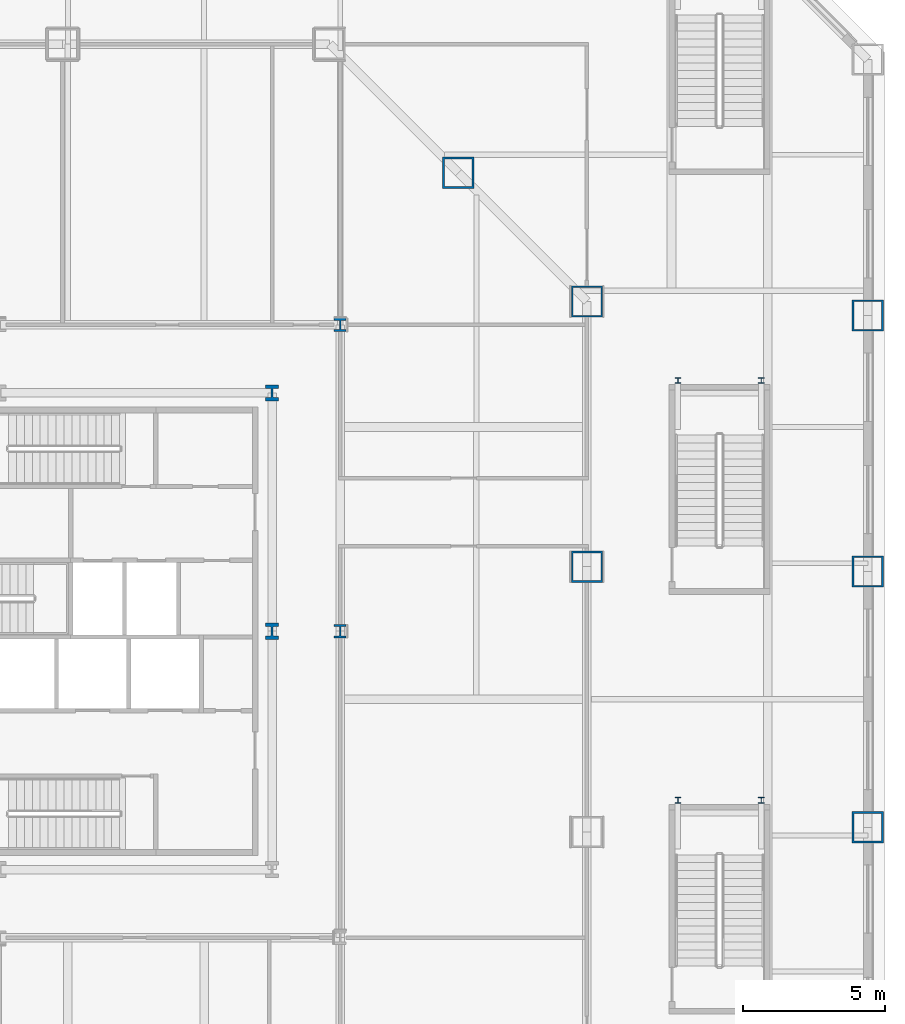
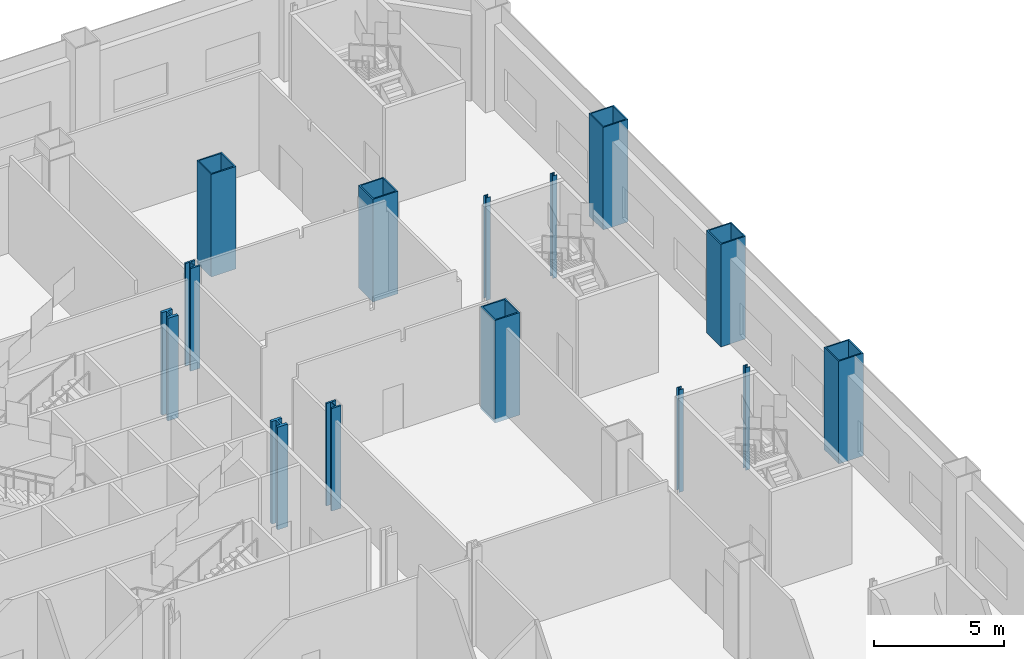
# One storey, part 6 of 26: 14 columns.
"""IFC4 building model written with IfcOpenShell, lengths in metres."""

from ifc_helpers import new_model, si_unit, direction, frame, origin, origin_2d, place, context, subcontext, project, spatial, hollow_rectangle, i_section, extrude, material, material_profile, profile_set, type_object, element, save


model = new_model("IFC4")

# Units and contexts
model_context = context("Model", 3, precision=1e-05, world=origin(), true_north=direction((0.0, 1.0)))
body_context = subcontext(model_context, "Body", "Model", "MODEL_VIEW")
ifc_project = project(units=[si_unit("LENGTHUNIT", "METRE"), si_unit("AREAUNIT", "SQUARE_METRE"), si_unit("VOLUMEUNIT", "CUBIC_METRE"), si_unit("PLANEANGLEUNIT", "RADIAN"), si_unit("MASSUNIT", "GRAM", prefix="KILO")], contexts=[model_context])

# Site, building, storey
site_placement = place(None, origin())
site = spatial("IfcSite", under=ifc_project, at=site_placement, CompositionType="ELEMENT")
building_placement = place(site_placement, origin())
building = spatial("IfcBuilding", under=site, at=building_placement, Name="Cairn Pilgrim Tower", CompositionType="ELEMENT")
storey_placement = place(building_placement, frame((0.0, 0.0, 21.0)))
storey = spatial("IfcBuildingStorey", under=building, at=storey_placement, Name="L03", CompositionType="ELEMENT", Elevation=21.0)

# Columns
ifc_material_1 = material(Name="Structural steel S460M", Category="steel")
ifc_material_profile_1 = material_profile(ifc_material_1, hollow_rectangle(XDim=1.10009765625, YDim=1.10009765625, WallThickness=0.06005859375, at=origin_2d()), Name="BOX 1100x1100x60")
ifc_profile_set_1 = profile_set([ifc_material_profile_1], Name="Structural steel S460M")
column_type_1 = type_object("IfcColumnType", Name="BOX 1100x1100x60", PredefinedType="COLUMN", material=ifc_profile_set_1)
for number, where, z_axis, x_axis, name in (
    (1, (27.89990234375, 4.67578125, -0.199951171875), (0.0, 0.0, 1.0), (1.0, 0.0, 0.0), "PC1-E3"),
    (2, (27.89990234375, 14.027099609375, -0.199951171875), (0.0, 0.0, 1.0), (1.0, 0.0, 0.0), "PC1-NE1"),
    (3, (23.363525390625, 18.563720703125, -0.199951171875), (0.0, 0.0, 1.0), (1.0, 0.0, 0.0), "PC1-NE2"),
):
    element("IfcColumn", number, at=place(storey_placement, frame(where, z_axis=z_axis, x_axis=x_axis)), inside=storey, type_object=column_type_1, Name=name, PredefinedType="COLUMN", context=body_context, shape_type="SweptSolid", body=[
        extrude(hollow_rectangle(XDim=1.10009765625, YDim=1.10009765625, WallThickness=0.06005859375, at=origin_2d()), origin(), (0.0, 0.0, 1.0), 4.800048828125),
    ])
ifc_material_profile_2 = material_profile(ifc_material_1, i_section(OverallWidth=0.4541015625, OverallDepth=0.569091796875, WebThickness=0.077880859375, FlangeThickness=0.125, FilletRadius=0.014892578125, at=origin_2d()), Name="HD 400x1086")
ifc_profile_set_2 = profile_set([ifc_material_profile_2], Name="Structural steel S460M")
column_type_2 = type_object("IfcColumnType", Name="HD 400x1086", PredefinedType="COLUMN", material=ifc_profile_set_2)
for number, where, z_axis, x_axis, name in (
    (4, (16.800048828125, 2.39990234375, -0.199951171875), (0.0, 0.0, 1.0), (1.0, 0.0, 0.0), "KC-5"),
    (5, (16.800048828125, 10.800048828125, -0.199951171875), (0.0, 0.0, 1.0), (1.0, 0.0, 0.0), "KC-8"),
):
    element("IfcColumn", number, at=place(storey_placement, frame(where, z_axis=z_axis, x_axis=x_axis)), inside=storey, type_object=column_type_2, Name=name, PredefinedType="COLUMN", context=body_context, shape_type="SweptSolid", body=[
        extrude(i_section(OverallWidth=0.4541015625, OverallDepth=0.569091796875, WebThickness=0.077880859375, FlangeThickness=0.125, FilletRadius=0.014892578125, at=origin_2d()), origin(), (0.0, 0.0, 1.0), 4.800048828125),
    ])
ifc_material_profile_3 = material_profile(ifc_material_1, i_section(OverallWidth=0.424072265625, OverallDepth=0.47412109375, WebThickness=0.047607421875, FlangeThickness=0.0771484375, FilletRadius=0.014892578125, at=origin_2d()), Name="HD 400x634")
ifc_profile_set_3 = profile_set([ifc_material_profile_3], Name="Structural steel S460M")
column_type_3 = type_object("IfcColumnType", Name="HD 400x634", PredefinedType="COLUMN", material=ifc_profile_set_3)
for number, where, z_axis, x_axis, name in (
    (6, (19.199951171875, 2.39990234375, -0.199951171875), (0.0, 0.0, 1.0), (1.0, 0.0, 0.0), "IC-5"),
    (7, (19.199951171875, 13.199951171875, -0.199951171875), (0.0, 0.0, 1.0), (1.0, 0.0, 0.0), "IC-8"),
):
    element("IfcColumn", number, at=place(storey_placement, frame(where, z_axis=z_axis, x_axis=x_axis)), inside=storey, type_object=column_type_3, Name=name, PredefinedType="COLUMN", context=body_context, shape_type="SweptSolid", body=[
        extrude(i_section(OverallWidth=0.424072265625, OverallDepth=0.47412109375, WebThickness=0.047607421875, FlangeThickness=0.0771484375, FilletRadius=0.014892578125, at=origin_2d()), origin(), (0.0, 0.0, 1.0), 4.800048828125),
    ])
ifc_material_profile_4 = material_profile(ifc_material_1, hollow_rectangle(XDim=1.10009765625, YDim=1.10009765625, WallThickness=0.06005859375, at=origin_2d()), Name="BOX 1100x1100x60")
ifc_profile_set_4 = profile_set([ifc_material_profile_4], Name="Structural steel S460M")
column_type_4 = type_object("IfcColumnType", Name="PILOTIS CFT 1100", PredefinedType="COLUMN", material=ifc_profile_set_4)
for number, where, z_axis, x_axis, name in (
    (8, (37.800048828125, -4.51025390625, 0.0), (0.0, 0.0, 1.0), (1.0, 0.0, 0.0), "PILOTIS PL-E3"),
    (9, (37.800048828125, 4.51025390625, 0.0), (0.0, 0.0, 1.0), (1.0, 0.0, 0.0), "PILOTIS PL-E4"),
    (10, (37.800048828125, 13.531005859375, 0.0), (0.0, 0.0, 1.0), (1.0, 0.0, 0.0), "PILOTIS PL-E5"),
):
    element("IfcColumn", number, at=place(storey_placement, frame(where, z_axis=z_axis, x_axis=x_axis)), inside=storey, type_object=column_type_4, Name=name, PredefinedType="COLUMN", context=body_context, shape_type="SweptSolid", body=[
        extrude(hollow_rectangle(XDim=1.10009765625, YDim=1.10009765625, WallThickness=0.06005859375, at=origin_2d()), origin(), (0.0, 0.0, 1.0), 4.800048828125),
    ])
ifc_material_2 = material(Name="Structural steel S355J2", Category="steel")
ifc_material_profile_5 = material_profile(ifc_material_2, i_section(OverallWidth=0.199951171875, OverallDepth=0.199951171875, WebThickness=0.009033203125, FlangeThickness=0.014892578125, FilletRadius=0.01806640625, at=origin_2d()), Name="HE 200 B")
ifc_profile_set_5 = profile_set([ifc_material_profile_5], Name="Structural steel S355J2")
column_type_5 = type_object("IfcColumnType", Name="STAIR POST HE 200 B", PredefinedType="COLUMN", material=ifc_profile_set_5)
for number, where, z_axis, x_axis, name in (
    (11, (31.10498046875, -3.56005859375, 0.0), (0.0, 0.0, 1.0), (1.0, 0.0, 0.0), "STAIR POST LP-ES2-NA"),
    (12, (34.044921875, -3.56005859375, 0.0), (0.0, 0.0, 1.0), (1.0, 0.0, 0.0), "STAIR POST LP-ES2-NB"),
    (13, (31.10498046875, 11.239990234375, 0.0), (0.0, 0.0, 1.0), (1.0, 0.0, 0.0), "STAIR POST LP-ES3-NA"),
    (14, (34.044921875, 11.239990234375, 0.0), (0.0, 0.0, 1.0), (1.0, 0.0, 0.0), "STAIR POST LP-ES3-NB"),
):
    element("IfcColumn", number, at=place(storey_placement, frame(where, z_axis=z_axis, x_axis=x_axis)), inside=storey, type_object=column_type_5, Name=name, PredefinedType="COLUMN", context=body_context, shape_type="SweptSolid", body=[
        extrude(i_section(OverallWidth=0.199951171875, OverallDepth=0.199951171875, WebThickness=0.009033203125, FlangeThickness=0.014892578125, FilletRadius=0.01806640625, at=origin_2d()), origin(), (0.0, 0.0, 1.0), 4.800048828125),
    ])

save(model, "model.ifc")
